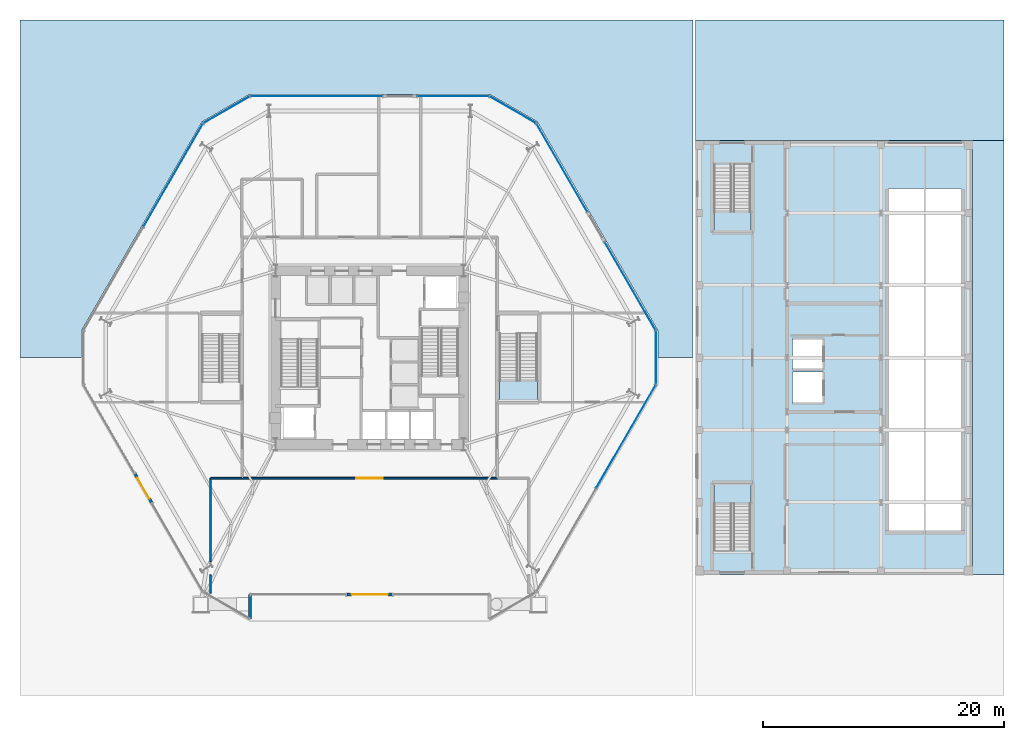
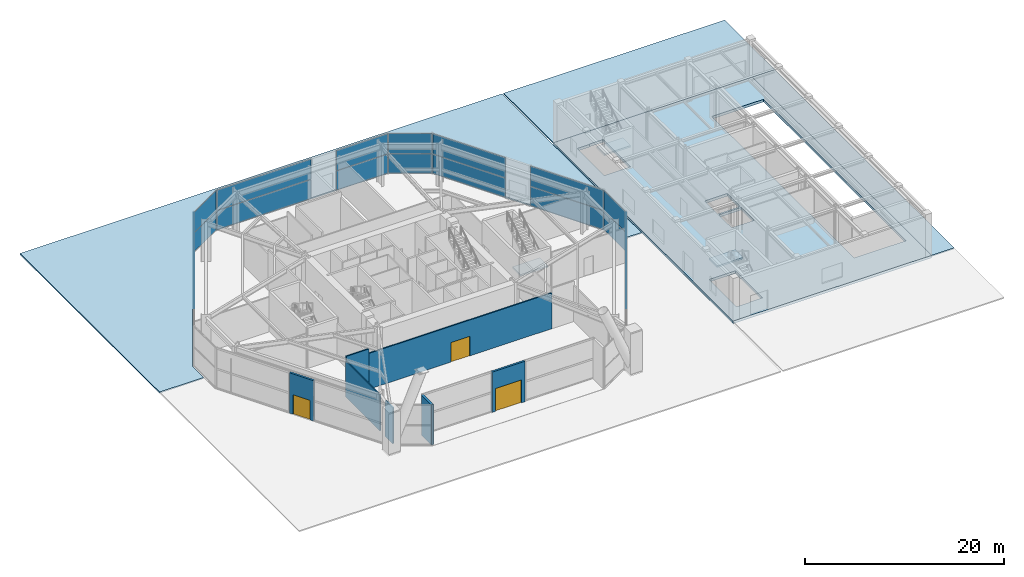
# One storey, part 16 of 26: 18 plates, 7 slabs, 7 walls, 3 doors, 3 openings, 12 elements without a shape of their own.
"""IFC4 building model written with IfcOpenShell, lengths in metres."""

from ifc_helpers import new_model, si_unit, direction, frame, frame_2d, origin, origin_2d, place, context, subcontext, project, spatial, polyline, rectangle, outline, extrude, material, layer, layer_set, type_object, element, fill, aggregate, save


model = new_model("IFC4")

# Units and contexts
model_context = context("Model", 3, precision=1e-05, world=origin(), true_north=direction((0.0, 1.0)))
body_context = subcontext(model_context, "Body", "Model", "MODEL_VIEW")
ifc_project = project(units=[si_unit("LENGTHUNIT", "METRE"), si_unit("AREAUNIT", "SQUARE_METRE"), si_unit("VOLUMEUNIT", "CUBIC_METRE"), si_unit("PLANEANGLEUNIT", "RADIAN"), si_unit("MASSUNIT", "GRAM", prefix="KILO")], contexts=[model_context])

# Site, building, storey
site_placement = place(None, origin())
site = spatial("IfcSite", under=ifc_project, at=site_placement, CompositionType="ELEMENT")
building_placement = place(site_placement, origin())
building = spatial("IfcBuilding", under=site, at=building_placement, Name="Kranzbogen Civic Tower", CompositionType="ELEMENT")
storey_placement = place(building_placement, origin())
storey = spatial("IfcBuildingStorey", under=building, at=storey_placement, Name="L00", CompositionType="ELEMENT", Elevation=0.0)

# Slabs
ifc_material_1 = material(Name="Precast concrete C40/50", Category="concrete")
ifc_layer_1 = layer(ifc_material_1, 0.14990234375, Name="Precast concrete C40/50")
ifc_layer_set_1 = layer_set([ifc_layer_1], Name="Precast concrete C40/50")
slab_type_1 = type_object("IfcSlabType", Name="Civic Plaza Granite Paving Slab 150 mm", PredefinedType="USERDEFINED", material=ifc_layer_set_1)
slab_1_placement = place(storey_placement, frame((0.0, 0.0, -0.14990234375)))
element("IfcSlab", 1, at=slab_1_placement, inside=storey, type_object=slab_type_1, Name="L00 North-West public civic plaza paving 2", ObjectType="PAVING", PredefinedType="USERDEFINED", context=body_context, shape_type="SweptSolid", body=[
    extrude(outline(polyline([(1.10693359375, 25.0), (1.10693359375, 27.25), (1.10693359375, 27.251953125), (1.10693359375, 27.25390625), (1.10791015625, 27.256103515625), (1.10888671875, 27.258056640625), (1.110107421875, 27.260009765625), (11.097900390625, 44.56005859375), (11.09912109375, 44.56201171875), (11.10009765625, 44.56298828125), (11.10205078125, 44.56494140625), (11.10302734375, 44.56591796875), (11.10498046875, 44.56689453125), (15.001953125, 46.81689453125), (15.00390625, 46.818115234375), (15.006103515625, 46.819091796875), (15.008056640625, 46.820068359375), (15.010009765625, 46.820068359375), (15.011962890625, 46.820068359375), (34.988037109375, 46.820068359375), (34.989990234375, 46.820068359375), (34.991943359375, 46.820068359375), (34.993896484375, 46.819091796875), (34.99609375, 46.818115234375), (34.998046875, 46.81689453125), (38.89501953125, 44.56689453125), (38.89697265625, 44.56591796875), (38.89794921875, 44.56494140625), (38.89990234375, 44.56298828125), (38.90087890625, 44.56201171875), (38.902099609375, 44.56005859375), (48.889892578125, 27.260009765625), (48.89111328125, 27.258056640625), (48.89208984375, 27.256103515625), (48.89306640625, 27.25390625), (48.89306640625, 27.251953125), (48.89306640625, 27.25), (48.89306640625, 25.0), (51.800048828125, 25.0), (51.800048828125, 53.0), (-4.0, 53.0), (-4.0, 25.0), (1.10693359375, 25.0)])), origin(), (0.0, 0.0, 1.0), 0.14990234375),
])
slab_2_placement = place(storey_placement, frame((0.0, 0.0, -0.14990234375)))
element("IfcSlab", 2, at=slab_2_placement, inside=storey, type_object=slab_type_1, Name="L00 North-East public civic plaza paving 4", ObjectType="PAVING", PredefinedType="USERDEFINED", context=body_context, shape_type="SweptSolid", body=[
    extrude(outline(polyline([(77.60009765625, 43.0), (77.60009765625, 53.0), (52.0, 53.0), (52.0, 43.0), (77.60009765625, 43.0)])), origin(), (0.0, 0.0, 1.0), 0.14990234375),
])
slab_3_placement = place(storey_placement, frame((0.0, 0.0, -0.14990234375)))
element("IfcSlab", 3, at=slab_3_placement, inside=storey, type_object=slab_type_1, Name="L00 East public civic plaza paving 5", ObjectType="PAVING", PredefinedType="USERDEFINED", context=body_context, shape_type="SweptSolid", body=[
    extrude(outline(polyline([(77.60009765625, 7.0), (77.60009765625, 43.0), (75.0, 43.0), (75.0, 7.0), (77.60009765625, 7.0)])), origin(), (0.0, 0.0, 1.0), 0.14990234375),
])
ifc_material_2 = material(Name="Concrete C40/50", Category="concrete")
ifc_layer_2 = layer(ifc_material_2, 0.320068359375, Name="Concrete C40/50")
ifc_layer_set_2 = layer_set([ifc_layer_2], Name="Concrete C40/50")
slab_type_2 = type_object("IfcSlabType", Name="Composite Heavy Plaza and Car Park Slab 320 mm", PredefinedType="FLOOR", material=ifc_layer_set_2)
slab_4_placement = place(storey_placement, frame((0.0, 0.0, -0.320068359375)))
element("IfcSlab", 4, at=slab_4_placement, inside=storey, type_object=slab_type_2, Name="L00 Community Health Centre floor slab", PredefinedType="FLOOR", context=body_context, shape_type="SweptSolid", body=[
    extrude(outline(polyline([(75.0, 7.0), (75.0, 43.0), (52.0, 43.0), (52.0, 7.0), (75.0, 7.0)]), holes=[polyline([(56.60009765625, 9.06005859375), (55.14990234375, 9.06005859375), (55.14990234375, 9.0), (53.550048828125, 9.0), (53.550048828125, 14.5), (56.60009765625, 14.5), (56.60009765625, 9.06005859375)]), polyline([(62.64990234375, 21.199951171875), (60.050048828125, 21.199951171875), (60.050048828125, 23.800048828125), (62.64990234375, 23.800048828125), (62.64990234375, 21.199951171875)]), polyline([(74.054931640625, 10.5), (68.044921875, 10.5), (68.044921875, 39.044921875), (74.054931640625, 39.044921875), (74.054931640625, 10.5)]), polyline([(62.64990234375, 26.60009765625), (62.64990234375, 24.0), (60.050048828125, 24.0), (60.050048828125, 26.60009765625), (62.64990234375, 26.60009765625)]), polyline([(55.0, 40.93994140625), (55.0, 41.0), (56.60009765625, 41.0), (56.60009765625, 35.5), (53.550048828125, 35.5), (53.550048828125, 40.93994140625), (55.0, 40.93994140625)])]), origin(), (0.0, 0.0, 1.0), 0.320068359375),
])

# Curtain wall, plates
ifc_material_3 = material(Name="Pale Anodised Aluminium", Category="aluminium")
ifc_layer_3 = layer(ifc_material_3, 0.219970703125, Name="Pale Anodised Aluminium")
ifc_layer_set_3 = layer_set([ifc_layer_3], Name="Pale Anodised Aluminium")
curtain_wall_type_1 = type_object("IfcCurtainWallType", Name="Chamfer Facet Stick Curtain Wall System CW-06", PredefinedType="USERDEFINED", material=ifc_layer_set_3)
curtain_wall_1_placement = place(storey_placement, origin())
curtain_wall_1 = element("IfcCurtainWall", 5, at=curtain_wall_1_placement, inside=storey, type_object=curtain_wall_type_1, Name="L00 curtain wall CW-L00-C1", ObjectType="STICK CURTAIN WALL", PredefinedType="USERDEFINED")
ifc_material_4 = material(Name="Low-E Triple Glazing Glass", Category="glass")
ifc_layer_4 = layer(ifc_material_4, 0.02587890625, Name="Low-E Triple Glazing Glass")
ifc_layer_set_4 = layer_set([ifc_layer_4], Name="Low-E Triple Glazing Glass")
plate_type_1 = type_object("IfcPlateType", Name="Insulated Low-E Glazing Panel 26 mm", PredefinedType="CURTAIN_PANEL", material=ifc_layer_set_4)
plate_1_placement = place(storey_placement, frame((36.866943359375, 45.554443359375, 0.06005859375), z_axis=(0.0, 0.0, 1.0), x_axis=(-0.865992001897, 0.500057849305, 0.0)))
plate_1 = element("IfcPlate", 6, at=plate_1_placement, type_object=plate_type_1, Name="CW-06 panel 1.1", PredefinedType="CURTAIN_PANEL", context=body_context, shape_type="SweptSolid", body=[
    extrude(rectangle(XDim=4.353515625, YDim=0.028076171875, at=origin_2d()), origin(), (0.0, 0.0, 1.0), 2.31005859375),
])
plate_2_placement = place(storey_placement, frame((36.866943359375, 45.554443359375, 2.43017578125), z_axis=(0.0, 0.0, 1.0), x_axis=(-0.865992001897, 0.500057849305, 0.0)))
plate_2 = element("IfcPlate", 7, at=plate_2_placement, type_object=plate_type_1, Name="CW-06 panel 1.2", PredefinedType="CURTAIN_PANEL", context=body_context, shape_type="SweptSolid", body=[
    extrude(rectangle(XDim=4.353515625, YDim=0.028076171875, at=origin_2d()), origin(), (0.0, 0.0, 1.0), 2.449951171875),
])
aggregate(curtain_wall_1, [plate_1, plate_2])

curtain_wall_2_placement = place(storey_placement, origin())
curtain_wall_2 = element("IfcCurtainWall", 8, at=curtain_wall_2_placement, inside=storey, type_object=curtain_wall_type_1, Name="L00 curtain wall CW-L00-C2", ObjectType="STICK CURTAIN WALL", PredefinedType="USERDEFINED")
plate_3_placement = place(storey_placement, frame((13.133056640625, 45.554443359375, 0.06005859375), z_axis=(0.0, 0.0, 1.0), x_axis=(-0.865992001897, -0.500057849305, 0.0)))
plate_3 = element("IfcPlate", 9, at=plate_3_placement, type_object=plate_type_1, Name="CW-06 panel 1.1", PredefinedType="CURTAIN_PANEL", context=body_context, shape_type="SweptSolid", body=[
    extrude(rectangle(XDim=4.353515625, YDim=0.028076171875, at=origin_2d()), origin(), (0.0, 0.0, 1.0), 2.31005859375),
])
plate_4_placement = place(storey_placement, frame((13.133056640625, 45.554443359375, 2.43017578125), z_axis=(0.0, 0.0, 1.0), x_axis=(-0.865992001897, -0.500057849305, 0.0)))
plate_4 = element("IfcPlate", 10, at=plate_4_placement, type_object=plate_type_1, Name="CW-06 panel 1.2", PredefinedType="CURTAIN_PANEL", context=body_context, shape_type="SweptSolid", body=[
    extrude(rectangle(XDim=4.353515625, YDim=0.028076171875, at=origin_2d()), origin(), (0.0, 0.0, 1.0), 2.449951171875),
])
aggregate(curtain_wall_2, [plate_3, plate_4])

curtain_wall_3_placement = place(storey_placement, origin())
curtain_wall_3 = element("IfcCurtainWall", 11, at=curtain_wall_3_placement, inside=storey, type_object=curtain_wall_type_1, Name="L00 curtain wall CW-L00-C6", ObjectType="STICK CURTAIN WALL", PredefinedType="USERDEFINED")
plate_5_placement = place(storey_placement, frame((48.73388671875, 25.0, 0.06005859375), z_axis=(0.0, 0.0, 1.0), x_axis=(0.0, 1.0, 0.0)))
plate_5 = element("IfcPlate", 12, at=plate_5_placement, type_object=plate_type_1, Name="CW-06 panel 1.1", PredefinedType="CURTAIN_PANEL", context=body_context, shape_type="SweptSolid", body=[
    extrude(rectangle(XDim=4.35400390625, YDim=0.028076171875, at=origin_2d()), origin(), (0.0, 0.0, 1.0), 2.31005859375),
])
plate_6_placement = place(storey_placement, frame((48.73388671875, 25.0, 2.43017578125), z_axis=(0.0, 0.0, 1.0), x_axis=(0.0, 1.0, 0.0)))
plate_6 = element("IfcPlate", 13, at=plate_6_placement, type_object=plate_type_1, Name="CW-06 panel 1.2", PredefinedType="CURTAIN_PANEL", context=body_context, shape_type="SweptSolid", body=[
    extrude(rectangle(XDim=4.35400390625, YDim=0.028076171875, at=origin_2d()), origin(), (0.0, 0.0, 1.0), 2.449951171875),
])
aggregate(curtain_wall_3, [plate_5, plate_6])

ifc_layer_5 = layer(ifc_material_3, 0.219970703125, Name="Pale Anodised Aluminium")
ifc_layer_set_5 = layer_set([ifc_layer_5], Name="Pale Anodised Aluminium")
curtain_wall_type_2 = type_object("IfcCurtainWallType", Name="Podium Stick Curtain Wall System CW-01", PredefinedType="USERDEFINED", material=ifc_layer_set_5)
curtain_wall_4_placement = place(storey_placement, origin())
curtain_wall_4 = element("IfcCurtainWall", 14, at=curtain_wall_4_placement, inside=storey, type_object=curtain_wall_type_2, Name="L00 curtain wall CW-L00-F1-S1", ObjectType="STICK CURTAIN WALL", PredefinedType="USERDEFINED")
ifc_layer_6 = layer(ifc_material_4, 0.035888671875, Name="Low-E Triple Glazing Glass")
ifc_layer_set_6 = layer_set([ifc_layer_6], Name="Low-E Triple Glazing Glass")
plate_type_2 = type_object("IfcPlateType", Name="Insulated Low-E Glazing Panel 36 mm", PredefinedType="CURTAIN_PANEL", material=ifc_layer_set_6)
plate_7_placement = place(storey_placement, frame((46.6015625, 30.930419921875, 0.06005859375), z_axis=(0.0, 0.0, 1.0), x_axis=(-0.500009985053, 0.866019638835, 0.0)))
plate_7 = element("IfcPlate", 15, at=plate_7_placement, type_object=plate_type_2, Name="CW-01 panel 1.1", PredefinedType="CURTAIN_PANEL", context=body_context, shape_type="SweptSolid", body=[
    extrude(rectangle(XDim=8.409912109375, YDim=0.028076171875, at=origin_2d()), origin(), (0.0, 0.0, 1.0), 2.31005859375),
])
plate_8_placement = place(storey_placement, frame((46.6015625, 30.930419921875, 2.43017578125), z_axis=(0.0, 0.0, 1.0), x_axis=(-0.500009985053, 0.866019638835, 0.0)))
plate_8 = element("IfcPlate", 16, at=plate_8_placement, type_object=plate_type_2, Name="CW-01 panel 1.2", PredefinedType="CURTAIN_PANEL", context=body_context, shape_type="SweptSolid", body=[
    extrude(rectangle(XDim=8.409912109375, YDim=0.028076171875, at=origin_2d()), origin(), (0.0, 0.0, 1.0), 2.449951171875),
])
aggregate(curtain_wall_4, [plate_7, plate_8])

curtain_wall_5_placement = place(storey_placement, origin())
curtain_wall_5 = element("IfcCurtainWall", 17, at=curtain_wall_5_placement, inside=storey, type_object=curtain_wall_type_2, Name="L00 curtain wall CW-L00-F1-S2", ObjectType="STICK CURTAIN WALL", PredefinedType="USERDEFINED")
plate_9_placement = place(storey_placement, frame((40.9365234375, 40.742431640625, 0.06005859375), z_axis=(0.0, 0.0, 1.0), x_axis=(-0.500009985053, 0.866019638835, 0.0)))
plate_9 = element("IfcPlate", 18, at=plate_9_placement, type_object=plate_type_2, Name="CW-01 panel 1.1", PredefinedType="CURTAIN_PANEL", context=body_context, shape_type="SweptSolid", body=[
    extrude(rectangle(XDim=8.409912109375, YDim=0.028076171875, at=origin_2d()), origin(), (0.0, 0.0, 1.0), 2.31005859375),
])
plate_10_placement = place(storey_placement, frame((40.9365234375, 40.742431640625, 2.43017578125), z_axis=(0.0, 0.0, 1.0), x_axis=(-0.500009985053, 0.866019638835, 0.0)))
plate_10 = element("IfcPlate", 19, at=plate_10_placement, type_object=plate_type_2, Name="CW-01 panel 1.2", PredefinedType="CURTAIN_PANEL", context=body_context, shape_type="SweptSolid", body=[
    extrude(rectangle(XDim=8.409912109375, YDim=0.028076171875, at=origin_2d()), origin(), (0.0, 0.0, 1.0), 2.449951171875),
])
aggregate(curtain_wall_5, [plate_9, plate_10])

curtain_wall_6_placement = place(storey_placement, origin())
curtain_wall_6 = element("IfcCurtainWall", 20, at=curtain_wall_6_placement, inside=storey, type_object=curtain_wall_type_2, Name="L00 curtain wall CW-L00-F2-S1", ObjectType="STICK CURTAIN WALL", PredefinedType="USERDEFINED")
plate_11_placement = place(storey_placement, frame((31.9150390625, 46.673095703125, 0.06005859375), z_axis=(0.0, 0.0, 1.0), x_axis=(-1.0, 0.0, 0.0)))
plate_11 = element("IfcPlate", 21, at=plate_11_placement, type_object=plate_type_2, Name="CW-01 panel 1.1", PredefinedType="CURTAIN_PANEL", context=body_context, shape_type="SweptSolid", body=[
    extrude(rectangle(XDim=5.909912109375, YDim=0.028076171875, at=origin_2d()), origin(), (0.0, 0.0, 1.0), 2.31005859375),
])
plate_12_placement = place(storey_placement, frame((31.9150390625, 46.673095703125, 2.43017578125), z_axis=(0.0, 0.0, 1.0), x_axis=(-1.0, 0.0, 0.0)))
plate_12 = element("IfcPlate", 22, at=plate_12_placement, type_object=plate_type_2, Name="CW-01 panel 1.2", PredefinedType="CURTAIN_PANEL", context=body_context, shape_type="SweptSolid", body=[
    extrude(rectangle(XDim=5.909912109375, YDim=0.028076171875, at=origin_2d()), origin(), (0.0, 0.0, 1.0), 2.449951171875),
])
aggregate(curtain_wall_6, [plate_11, plate_12])

curtain_wall_7_placement = place(storey_placement, origin())
curtain_wall_7 = element("IfcCurtainWall", 23, at=curtain_wall_7_placement, inside=storey, type_object=curtain_wall_type_2, Name="L00 curtain wall CW-L00-F2-S2", ObjectType="STICK CURTAIN WALL", PredefinedType="USERDEFINED")
plate_13_placement = place(storey_placement, frame((20.5849609375, 46.673095703125, 0.06005859375), z_axis=(0.0, 0.0, 1.0), x_axis=(-1.0, 0.0, 0.0)))
plate_13 = element("IfcPlate", 24, at=plate_13_placement, type_object=plate_type_2, Name="CW-01 panel 1.1", PredefinedType="CURTAIN_PANEL", context=body_context, shape_type="SweptSolid", body=[
    extrude(rectangle(XDim=10.909912109375, YDim=0.028076171875, at=origin_2d()), origin(), (0.0, 0.0, 1.0), 2.31005859375),
])
plate_14_placement = place(storey_placement, frame((20.5849609375, 46.673095703125, 2.43017578125), z_axis=(0.0, 0.0, 1.0), x_axis=(-1.0, 0.0, 0.0)))
plate_14 = element("IfcPlate", 25, at=plate_14_placement, type_object=plate_type_2, Name="CW-01 panel 1.2", PredefinedType="CURTAIN_PANEL", context=body_context, shape_type="SweptSolid", body=[
    extrude(rectangle(XDim=10.909912109375, YDim=0.028076171875, at=origin_2d()), origin(), (0.0, 0.0, 1.0), 2.449951171875),
])
aggregate(curtain_wall_7, [plate_13, plate_14])

curtain_wall_8_placement = place(storey_placement, origin())
curtain_wall_8 = element("IfcCurtainWall", 26, at=curtain_wall_8_placement, inside=storey, type_object=curtain_wall_type_2, Name="L00 curtain wall CW-L00-F3", ObjectType="STICK CURTAIN WALL", PredefinedType="USERDEFINED")
plate_15_placement = place(storey_placement, frame((8.7060546875, 40.123291015625, 0.06005859375), z_axis=(0.0, 0.0, 1.0), x_axis=(-0.500005767433, -0.86602207393, 0.0)))
plate_15 = element("IfcPlate", 27, at=plate_15_placement, type_object=plate_type_2, Name="CW-01 panel 1.1", PredefinedType="CURTAIN_PANEL", context=body_context, shape_type="SweptSolid", body=[
    extrude(rectangle(XDim=9.83984375, YDim=0.028076171875, at=origin_2d()), origin(), (0.0, 0.0, 1.0), 2.31005859375),
])
plate_16_placement = place(storey_placement, frame((8.7060546875, 40.123291015625, 2.43017578125), z_axis=(0.0, 0.0, 1.0), x_axis=(-0.500005767433, -0.86602207393, 0.0)))
plate_16 = element("IfcPlate", 28, at=plate_16_placement, type_object=plate_type_2, Name="CW-01 panel 1.2", PredefinedType="CURTAIN_PANEL", context=body_context, shape_type="SweptSolid", body=[
    extrude(rectangle(XDim=9.83984375, YDim=0.028076171875, at=origin_2d()), origin(), (0.0, 0.0, 1.0), 2.449951171875),
])
aggregate(curtain_wall_8, [plate_15, plate_16])

curtain_wall_9_placement = place(storey_placement, origin())
curtain_wall_9 = element("IfcCurtainWall", 29, at=curtain_wall_9_placement, inside=storey, type_object=curtain_wall_type_2, Name="L00 curtain wall CW-L00-F6", ObjectType="STICK CURTAIN WALL", PredefinedType="USERDEFINED")
plate_17_placement = place(storey_placement, frame((46.243896484375, 18.4501953125, 0.06005859375), z_axis=(0.0, 0.0, 1.0), x_axis=(0.500005767433, 0.86602207393, 0.0)))
plate_17 = element("IfcPlate", 30, at=plate_17_placement, type_object=plate_type_2, Name="CW-01 panel 2.1", PredefinedType="CURTAIN_PANEL", context=body_context, shape_type="SweptSolid", body=[
    extrude(rectangle(XDim=9.83984375, YDim=0.028076171875, at=origin_2d()), origin(), (0.0, 0.0, 1.0), 2.31005859375),
])
plate_18_placement = place(storey_placement, frame((46.243896484375, 18.4501953125, 2.43017578125), z_axis=(0.0, 0.0, 1.0), x_axis=(0.500005767433, 0.86602207393, 0.0)))
plate_18 = element("IfcPlate", 31, at=plate_18_placement, type_object=plate_type_2, Name="CW-01 panel 2.2", PredefinedType="CURTAIN_PANEL", context=body_context, shape_type="SweptSolid", body=[
    extrude(rectangle(XDim=9.83984375, YDim=0.028076171875, at=origin_2d()), origin(), (0.0, 0.0, 1.0), 2.449951171875),
])
aggregate(curtain_wall_9, [plate_17, plate_18])

# Stair, slab
stair_type_1 = type_object("IfcStairType", Name="Podium Assembly Dogleg Stair 1500", PredefinedType="HALF_TURN_STAIR", material=ifc_material_1)
stair_1_placement = place(storey_placement, origin())
stair_1 = element("IfcStair", 32, at=stair_1_placement, inside=storey, type_object=stair_type_1, Name="L00 Podium Assembly Stair East", PredefinedType="HALF_TURN_STAIR")
ifc_layer_7 = layer(ifc_material_1, 0.199951171875, Name="Precast concrete C40/50")
ifc_layer_set_7 = layer_set([ifc_layer_7], Name="Precast concrete C40/50")
slab_type_3 = type_object("IfcSlabType", Name="Precast Concrete Stair Landing Slab 200 mm", PredefinedType="LANDING", material=ifc_layer_set_7)
slab_5_placement = place(storey_placement, frame((0.0, 0.0, 2.39990234375)))
slab_5 = element("IfcSlab", 33, at=slab_5_placement, type_object=slab_type_3, Name="ST-P2 landing 1", PredefinedType="LANDING", context=body_context, shape_type="SweptSolid", body=[
    extrude(outline(polyline([(35.75, 23.080078125), (35.75, 21.449951171875), (38.89990234375, 21.449951171875), (38.89990234375, 23.080078125), (35.75, 23.080078125)])), origin(), (0.0, 0.0, 1.0), 0.2001953125),
])
aggregate(stair_1, [slab_5])

stair_type_2 = type_object("IfcStairType", Name="Health Centre Escape Dogleg Stair 1450", PredefinedType="HALF_TURN_STAIR", material=ifc_material_1)
stair_2_placement = place(storey_placement, origin())
stair_2 = element("IfcStair", 34, at=stair_2_placement, inside=storey, type_object=stair_type_2, Name="L00 Health Centre Escape Stair 1", PredefinedType="HALF_TURN_STAIR")
slab_6_placement = place(storey_placement, frame((0.0, 0.0, 2.39990234375)))
slab_6 = element("IfcSlab", 35, at=slab_6_placement, type_object=slab_type_3, Name="ST-H1 landing 1", PredefinedType="LANDING", context=body_context, shape_type="SweptSolid", body=[
    extrude(outline(polyline([(56.60009765625, 12.919921875), (56.60009765625, 14.5), (53.550048828125, 14.5), (53.550048828125, 12.919921875), (56.60009765625, 12.919921875)])), origin(), (0.0, 0.0, 1.0), 0.2001953125),
])
aggregate(stair_2, [slab_6])

stair_3_placement = place(storey_placement, origin())
stair_3 = element("IfcStair", 36, at=stair_3_placement, inside=storey, type_object=stair_type_2, Name="L00 Health Centre Escape Stair 2", PredefinedType="HALF_TURN_STAIR")
slab_7_placement = place(storey_placement, frame((0.0, 0.0, 2.39990234375)))
slab_7 = element("IfcSlab", 37, at=slab_7_placement, type_object=slab_type_3, Name="ST-H2 landing 1", PredefinedType="LANDING", context=body_context, shape_type="SweptSolid", body=[
    extrude(outline(polyline([(53.550048828125, 37.080078125), (53.550048828125, 35.5), (56.60009765625, 35.5), (56.60009765625, 37.080078125), (53.550048828125, 37.080078125)])), origin(), (0.0, 0.0, 1.0), 0.2001953125),
])
aggregate(stair_3, [slab_7])

# Wall, opening, door
ifc_material_5 = material(Name="Double-Stud Acoustic Gypsum Partition")
ifc_layer_8 = layer(ifc_material_5, 0.14990234375, Name="Double-Stud Acoustic Gypsum Partition")
ifc_layer_set_8 = layer_set([ifc_layer_8], Name="Double-Stud Acoustic Gypsum Partition")
wall_type_1 = type_object("IfcWallType", Name="Acoustic Corridor and Clinical Partition 150 mm", PredefinedType="PARTITIONING", material=ifc_layer_set_8)
wall_1_placement = place(storey_placement, frame((14.39990234375, 15.0, 0.0), z_axis=(0.0, 0.0, 1.0), x_axis=(1.0, 0.0, 0.0)))
wall_1 = element("IfcWall", 38, at=wall_1_placement, inside=storey, type_object=wall_type_1, Name="L00 podium concourse S wall", PredefinedType="PARTITIONING", context=body_context, shape_type="SweptSolid", body=[
    extrude(rectangle(XDim=21.2001953125, YDim=0.14990234375, at=frame_2d((10.60009765625, 0.0))), origin(), (0.0, 0.0, 1.0), 4.389892578125),
])
opening_1_placement = place(wall_1_placement, frame((9.5, 0.0, 0.0)))
opening_1 = element("IfcOpeningElement", 39, at=opening_1_placement, cuts=wall_1, Name="Opening D-CHAM22", PredefinedType="OPENING", context=body_context, shape_type="SweptSolid", body=[
    extrude(rectangle(XDim=2.199951171875, YDim=2.39990234375, at=frame_2d((1.10009765625, 1.199951171875))), frame((0.0, 0.0849609375, 0.0), z_axis=(0.0, -1.0, 0.0), x_axis=(1.0, 0.0, 0.0)), (0.0, 0.0, 1.0), 0.169921875),
])
ifc_material_6 = material(Name="Oak Timber Acoustic Assembly", Category="wood")
door_type_1 = type_object("IfcDoorType", Name="Council Chamber Acoustic Double Door 2200x2400", OperationType="DOUBLE_DOOR_SINGLE_SWING", PredefinedType="DOOR", material=ifc_material_6)
door_1_placement = place(opening_1_placement, origin())
door_1 = element("IfcDoor", 40, at=door_1_placement, inside=storey, type_object=door_type_1, Name="L00 Public Citizen Service Hall door", OperationType="DOUBLE_DOOR_SINGLE_SWING", OverallHeight=2.39990234375, OverallWidth=2.199951171875, PredefinedType="DOOR", context=body_context, shape_type="SweptSolid", body=[
    extrude(rectangle(XDim=2.199951171875, YDim=2.39990234375, at=frame_2d((1.10009765625, 1.199951171875))), frame((0.0, 0.02490234375, 0.0), z_axis=(0.0, -1.0, 0.0), x_axis=(1.0, 0.0, 0.0)), (0.0, 0.0, 1.0), 0.050048828125),
])
fill(opening_1, door_1)

# Walls
wall_2_placement = place(storey_placement, frame((11.800048828125, 5.469970703125, 0.0), z_axis=(0.0, 0.0, 1.0), x_axis=(0.0, 1.0, 0.0)))
element("IfcWall", 41, at=wall_2_placement, inside=storey, type_object=wall_type_1, Name="L00 podium partition 08 part 1", PredefinedType="PARTITIONING", context=body_context, shape_type="SweptSolid", body=[
    extrude(rectangle(XDim=1.52197265625, YDim=0.14990234375, at=frame_2d((0.760986328125, 0.0))), origin(), (0.0, 0.0, 1.0), 4.389892578125),
])
wall_3_placement = place(storey_placement, frame((11.800048828125, 8.080078125, 0.0), z_axis=(0.0, 0.0, 1.0), x_axis=(0.0, 1.0, 0.0)))
element("IfcWall", 42, at=wall_3_placement, inside=storey, type_object=wall_type_1, Name="L00 podium partition 08 part 2", PredefinedType="PARTITIONING", context=body_context, shape_type="SweptSolid", body=[
    extrude(rectangle(XDim=6.919921875, YDim=0.14990234375, at=frame_2d((3.4599609375, 0.0))), origin(), (0.0, 0.0, 1.0), 4.389892578125),
])
wall_4_placement = place(storey_placement, frame((11.800048828125, 15.0, 0.0), z_axis=(0.0, 0.0, 1.0), x_axis=(1.0, 0.0, 0.0)))
element("IfcWall", 43, at=wall_4_placement, inside=storey, type_object=wall_type_1, Name="L00 podium partition 10", PredefinedType="PARTITIONING", context=body_context, shape_type="SweptSolid", body=[
    extrude(rectangle(XDim=2.599853515625, YDim=0.14990234375, at=frame_2d((1.2998046875, 0.0))), origin(), (0.0, 0.0, 1.0), 4.93994140625),
])

# Wall, opening, door
ifc_layer_9 = layer(ifc_material_3, 0.239990234375, Name="Pale Anodised Aluminium")
ifc_layer_set_9 = layer_set([ifc_layer_9], Name="Pale Anodised Aluminium")
wall_type_2 = type_object("IfcWallType", Name="Insulated Aluminium Facade Portal Wall 240 mm", PredefinedType="STANDARD", material=ifc_layer_set_9)
wall_5_placement = place(storey_placement, frame((5.531005859375, 15.3759765625, 0.0), z_axis=(0.0, 0.0, 1.0), x_axis=(0.49994636267, -0.866056369097, 0.0)))
wall_5 = element("IfcWall", 44, at=wall_5_placement, inside=storey, type_object=wall_type_2, Name="L00 exterior entrance portal wall 1", PredefinedType="STANDARD", context=body_context, shape_type="SweptSolid", body=[
    extrude(rectangle(XDim=2.800048828125, YDim=0.239990234375, at=frame_2d((1.39990234375, 0.0))), origin(), (0.0, 0.0, 1.0), 4.93994140625),
])
opening_2_placement = place(wall_5_placement, frame((0.39990234375, 0.0, 0.0)))
opening_2 = element("IfcOpeningElement", 45, at=opening_2_placement, cuts=wall_5, Name="Opening D-EXP", PredefinedType="OPENING", context=body_context, shape_type="SweptSolid", body=[
    extrude(rectangle(XDim=2.0, YDim=2.39990234375, at=frame_2d((1.0, 1.199951171875))), frame((0.0, 0.1298828125, 0.0), z_axis=(0.0, -1.0, 0.0), x_axis=(1.0, 0.0, 0.0)), (0.0, 0.0, 1.0), 0.260009765625),
])
door_type_2 = type_object("IfcDoorType", Name="Statutory Emergency Exit Discharge Door 2000x2400", OperationType="DOUBLE_DOOR_SINGLE_SWING", PredefinedType="DOOR", material=ifc_material_3)
door_2_placement = place(opening_2_placement, frame((2.0, 0.0, 0.0), z_axis=(0.0, 0.0, 1.0), x_axis=(-1.0, 0.0, 0.0)))
door_2 = element("IfcDoor", 46, at=door_2_placement, inside=storey, type_object=door_type_2, Name="L00 West civic plaza exit door", OperationType="DOUBLE_DOOR_SINGLE_SWING", OverallHeight=2.39990234375, OverallWidth=2.0, PredefinedType="DOOR", context=body_context, shape_type="SweptSolid", body=[
    extrude(rectangle(XDim=2.0, YDim=2.39990234375, at=frame_2d((1.0, 1.199951171875))), frame((0.0, 0.02490234375, 0.0), z_axis=(0.0, -1.0, 0.0), x_axis=(1.0, 0.0, 0.0)), (0.0, 0.0, 1.0), 0.050048828125),
])
fill(opening_2, door_2)

wall_6_placement = place(storey_placement, frame((23.10009765625, 5.35009765625, 0.0), z_axis=(0.0, 0.0, 1.0), x_axis=(1.0, 0.0, 0.0)))
wall_6 = element("IfcWall", 47, at=wall_6_placement, inside=storey, type_object=wall_type_2, Name="L00 exterior entrance portal wall 1", PredefinedType="STANDARD", context=body_context, shape_type="SweptSolid", body=[
    extrude(rectangle(XDim=3.7998046875, YDim=0.239990234375, at=frame_2d((1.89990234375, 0.0))), origin(), (0.0, 0.0, 1.0), 4.93994140625),
])
opening_3_placement = place(wall_6_placement, frame((0.39990234375, 0.0, 0.0)))
opening_3 = element("IfcOpeningElement", 48, at=opening_3_placement, cuts=wall_6, Name="Opening D-EX1", PredefinedType="OPENING", context=body_context, shape_type="SweptSolid", body=[
    extrude(rectangle(XDim=3.0, YDim=2.800048828125, at=frame_2d((1.5, 1.39990234375))), frame((0.0, 0.1298828125, 0.0), z_axis=(0.0, -1.0, 0.0), x_axis=(1.0, 0.0, 0.0)), (0.0, 0.0, 1.0), 0.260009765625),
])
ifc_material_7 = material(Name="Anodised Bronze and Toughened Glass", Category="glass")
door_type_3 = type_object("IfcDoorType", Name="Civic Hall Main Double Entrance Door 3000x2800", OperationType="DOUBLE_DOOR_SINGLE_SWING", PredefinedType="DOOR", material=ifc_material_7)
door_3_placement = place(opening_3_placement, frame((3.0, 0.0, 0.0), z_axis=(0.0, 0.0, 1.0), x_axis=(-1.0, 0.0, 0.0)))
door_3 = element("IfcDoor", 49, at=door_3_placement, inside=storey, type_object=door_type_3, Name="L00 Public Service Hall main portal entrance", OperationType="DOUBLE_DOOR_SINGLE_SWING", OverallHeight=2.800048828125, OverallWidth=3.0, PredefinedType="DOOR", context=body_context, shape_type="SweptSolid", body=[
    extrude(rectangle(XDim=3.0, YDim=2.800048828125, at=frame_2d((1.5, 1.39990234375))), frame((0.0, 0.02490234375, 0.0), z_axis=(0.0, -1.0, 0.0), x_axis=(1.0, 0.0, 0.0)), (0.0, 0.0, 1.0), 0.050048828125),
])
fill(opening_3, door_3)

# Wall
wall_7_placement = place(storey_placement, frame((15.070068359375, 3.326904296875, 0.0), z_axis=(0.0, 0.0, 1.0), x_axis=(0.0, 1.0, 0.0)))
element("IfcWall", 50, at=wall_7_placement, inside=storey, type_object=wall_type_2, Name="L00 portal colonnade West return wall", PredefinedType="STANDARD", context=body_context, shape_type="SweptSolid", body=[
    extrude(rectangle(XDim=2.023193359375, YDim=0.239990234375, at=frame_2d((1.01171875, 0.0))), origin(), (0.0, 0.0, 1.0), 4.93994140625),
])

save(model, "model.ifc")
